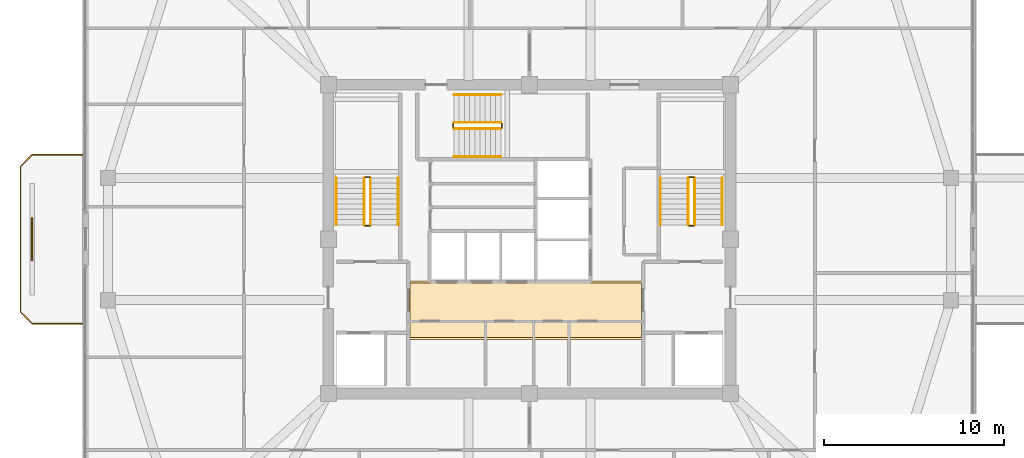
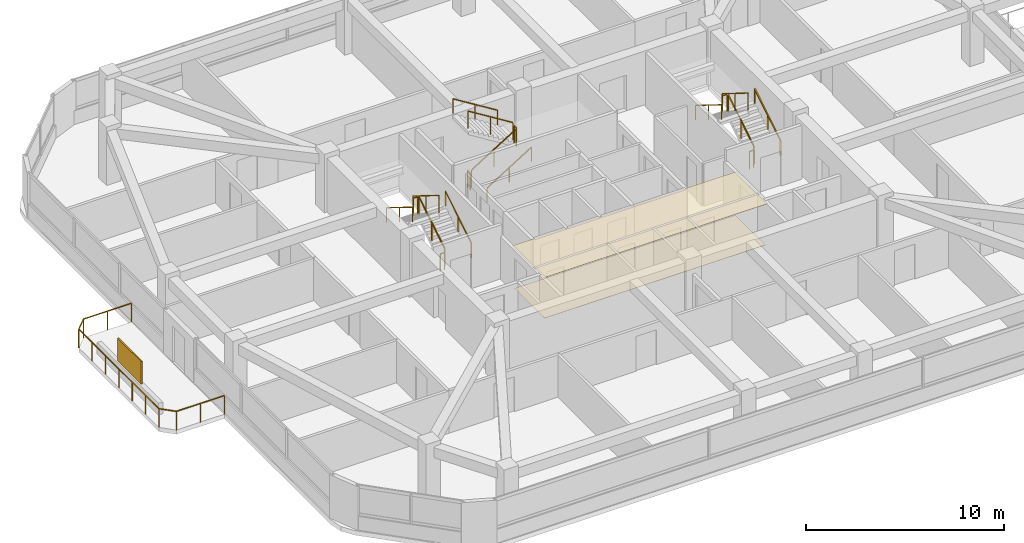
# One storey, part 13 of 14: 19 railings, 2 coverings, 1 shading device.
"""IFC4 building model written with IfcOpenShell, lengths in metres."""

from ifc_helpers import new_model, si_unit, derived_unit, direction, frame, origin, origin_2d, place, context, subcontext, project, spatial, polyline, rectangle, outline, extrude, material, layer, layer_set, type_object, element, save


model = new_model("IFC4")

# Units and contexts
model_context = context("Model", 3, precision=1e-05, world=origin(), true_north=direction((0.0, 1.0)))
body_context = subcontext(model_context, "Body", "Model", "MODEL_VIEW")
ifc_project = project(units=[si_unit("LENGTHUNIT", "METRE"), si_unit("AREAUNIT", "SQUARE_METRE"), si_unit("VOLUMEUNIT", "CUBIC_METRE"), si_unit("PLANEANGLEUNIT", "RADIAN"), si_unit("MASSUNIT", "GRAM", prefix="KILO"), derived_unit("THERMALTRANSMITTANCEUNIT", [(si_unit("POWERUNIT", "WATT"), 1), (si_unit("LENGTHUNIT", "METRE"), -2), (si_unit("THERMODYNAMICTEMPERATUREUNIT", "KELVIN"), -1)])], contexts=[model_context])

# Site, building, storey
site_placement = place(None, origin())
site = spatial("IfcSite", under=ifc_project, at=site_placement, CompositionType="ELEMENT")
building_placement = place(site_placement, origin())
building = spatial("IfcBuilding", under=site, at=building_placement, Name="Koralith Skygarden Medical Center", CompositionType="ELEMENT")
storey_placement = place(building_placement, frame((0.0, 0.0, 242.820068359375)))
storey = spatial("IfcBuildingStorey", under=building, at=storey_placement, Name="L62", CompositionType="ELEMENT", Elevation=242.820068359375)

# Covering
ifc_material_1 = material(Name="Acoustic Mineral Tile")
ifc_layer_1 = layer(ifc_material_1, 0.02001953125)
ifc_layer_set_1 = layer_set([ifc_layer_1], Name="Acoustic Mineral Tile")
covering_type_1 = type_object("IfcCoveringType", Name="Acoustic Hygienic Mineral Ceiling 20", PredefinedType="CEILING", material=ifc_layer_set_1)
covering_1_placement = place(storey_placement, frame((0.0, 0.0, 2.5849609375)))
element("IfcCovering", 1, at=covering_1_placement, inside=storey, type_object=covering_type_1, Name="L62 Core Lobby Acoustic Ceiling", PredefinedType="CEILING", context=body_context, shape_type="SweptSolid", body=[
    extrude(outline(polyline([(30.25, 20.320068359375), (43.35009765625, 20.320068359375), (43.35009765625, 23.56005859375), (30.25, 23.56005859375), (30.25, 20.320068359375)])), origin(), (0.0, 0.0, 1.0), 0.02001953125),
])

# Railing
ifc_material_2 = material(Name="Steel ASTM A500 Grade C", Category="steel")
railing_type_1 = type_object("IfcRailingType", Name="Outdoor Terrace & Balcony Safety Guardrail 1180", PredefinedType="GUARDRAIL", material=ifc_material_2)
railing_1_placement = place(storey_placement, frame((12.10009765625, 21.199951171875, 0.0)))
element("IfcRailing", 2, at=railing_1_placement, inside=storey, type_object=railing_type_1, Name="L62 W Balcony Perimeter Guardrail", PredefinedType="GUARDRAIL", context=body_context, shape_type="SweptSolid", body=[
    extrude(rectangle(XDim=0.050048828125, YDim=0.050048828125, at=origin_2d()), frame((-0.001953125, 0.0, 1.15478515625), z_axis=(-1.0, 0.0, 0.0), x_axis=(0.0, -1.0, 0.0)), (0.0, 0.0, 1.0), 2.796142578125),
    extrude(rectangle(XDim=0.050048828125, YDim=0.050048828125, at=origin_2d()), frame((-2.801513671875, 0.00146484375, 1.15478515625), z_axis=(-0.707106781187, 0.707106781187, 0.0), x_axis=(-0.707106781187, -0.707106781187, 0.0)), (0.0, 0.0, 1.0), 0.91552734375),
    extrude(rectangle(XDim=0.050048828125, YDim=0.050048828125, at=origin_2d()), frame((-3.4501953125, 0.652099609375, 1.15478515625), z_axis=(0.0, 1.0, 0.0), x_axis=(-1.0, 0.0, 0.0)), (0.0, 0.0, 1.0), 8.095947265625),
    extrude(rectangle(XDim=0.050048828125, YDim=0.050048828125, at=origin_2d()), frame((-3.44873046875, 8.75146484375, 1.15478515625), z_axis=(0.707106781187, 0.707106781187, 0.0), x_axis=(-0.707106781187, 0.707106781187, 0.0)), (0.0, 0.0, 1.0), 0.91552734375),
    extrude(rectangle(XDim=0.050048828125, YDim=0.050048828125, at=origin_2d()), frame((-2.798095703125, 9.400146484375, 1.15478515625), z_axis=(1.0, 0.0, 0.0), x_axis=(0.0, 1.0, 0.0)), (0.0, 0.0, 1.0), 2.796142578125),
    extrude(rectangle(XDim=0.0419921875, YDim=0.0419921875, at=origin_2d()), origin(), (0.0, 0.0, 1.0), 1.1279296875),
    extrude(rectangle(XDim=0.0419921875, YDim=0.0419921875, at=origin_2d()), frame((-1.39990234375, 0.0, 0.0)), (0.0, 0.0, 1.0), 1.1279296875),
    extrude(rectangle(XDim=0.0419921875, YDim=0.0419921875, at=origin_2d()), frame((-2.800048828125, 0.0, 0.0)), (0.0, 0.0, 1.0), 1.1279296875),
    extrude(rectangle(XDim=0.0419921875, YDim=0.0419921875, at=origin_2d()), frame((-3.4501953125, 0.650146484375, 0.0)), (0.0, 0.0, 1.0), 1.1279296875),
    extrude(rectangle(XDim=0.0419921875, YDim=0.0419921875, at=origin_2d()), frame((-3.4501953125, 2.0, 0.0)), (0.0, 0.0, 1.0), 1.1279296875),
    extrude(rectangle(XDim=0.0419921875, YDim=0.0419921875, at=origin_2d()), frame((-3.4501953125, 3.35009765625, 0.0)), (0.0, 0.0, 1.0), 1.1279296875),
    extrude(rectangle(XDim=0.0419921875, YDim=0.0419921875, at=origin_2d()), frame((-3.4501953125, 4.7001953125, 0.0)), (0.0, 0.0, 1.0), 1.1279296875),
    extrude(rectangle(XDim=0.0419921875, YDim=0.0419921875, at=origin_2d()), frame((-3.4501953125, 6.050048828125, 0.0)), (0.0, 0.0, 1.0), 1.1279296875),
    extrude(rectangle(XDim=0.0419921875, YDim=0.0419921875, at=origin_2d()), frame((-3.4501953125, 7.39990234375, 0.0)), (0.0, 0.0, 1.0), 1.1279296875),
    extrude(rectangle(XDim=0.0419921875, YDim=0.0419921875, at=origin_2d()), frame((-3.4501953125, 8.75, 0.0)), (0.0, 0.0, 1.0), 1.1279296875),
    extrude(rectangle(XDim=0.0419921875, YDim=0.0419921875, at=origin_2d()), frame((-2.800048828125, 9.400146484375, 0.0)), (0.0, 0.0, 1.0), 1.1279296875),
    extrude(rectangle(XDim=0.0419921875, YDim=0.0419921875, at=origin_2d()), frame((-1.39990234375, 9.400146484375, 0.0)), (0.0, 0.0, 1.0), 1.1279296875),
    extrude(rectangle(XDim=0.0419921875, YDim=0.0419921875, at=origin_2d()), frame((0.0, 9.400146484375, 0.0)), (0.0, 0.0, 1.0), 1.1279296875),
])

# Shading device
ifc_material_3 = material(Name="Aluminium 6063-T6", Category="aluminium")
ifc_layer_2 = layer(ifc_material_3, 0.080078125)
ifc_layer_set_2 = layer_set([ifc_layer_2], Name="Aluminium 6063-T6")
shading_device_type = type_object("IfcShadingDeviceType", Name="Perforated Biophilic Balcony Trellis Screen", PredefinedType="USERDEFINED", material=ifc_layer_set_2)
shading_device_placement = place(storey_placement, frame((9.300048828125, 25.89990234375, 0.719970703125), z_axis=(0.0, 0.0, 1.0), x_axis=(0.0, 1.0, 0.0)))
element("IfcShadingDevice", 3, at=shading_device_placement, inside=storey, type_object=shading_device_type, Name="L62 W Biophilic Balcony Trellis Screen", ObjectType="HURRICANE SCREEN", PredefinedType="USERDEFINED", context=body_context, shape_type="SweptSolid", body=[
    extrude(rectangle(XDim=2.39990234375, YDim=0.080078125, at=origin_2d()), origin(), (0.0, 0.0, 1.0), 1.39990234375),
])

# Covering
ifc_material_4 = material(Name="Medical Terrazzo Flooring")
ifc_layer_3 = layer(ifc_material_4, 0.014892578125)
ifc_layer_set_3 = layer_set([ifc_layer_3], Name="Medical Terrazzo Flooring")
covering_type_2 = type_object("IfcCoveringType", Name="Seamless Antimicrobial Terrazzo Flooring 15", PredefinedType="FLOORING", material=ifc_layer_set_3)
covering_2_placement = place(storey_placement, origin())
element("IfcCovering", 4, at=covering_2_placement, inside=storey, type_object=covering_type_2, Name="L62 Core Lobby Terrazzo Flooring", PredefinedType="FLOORING", context=body_context, shape_type="SweptSolid", body=[
    extrude(outline(polyline([(30.35009765625, 20.419921875), (43.25, 20.419921875), (43.25, 23.4599609375), (30.35009765625, 23.4599609375), (30.35009765625, 20.419921875)])), origin(), (0.0, 0.0, 1.0), 0.014892578125),
])

# Railings
railing_type_2 = type_object("IfcRailingType", Name="Stair Flight Tubular Handrail 920", PredefinedType="HANDRAIL", material=ifc_material_2)
railing_2_placement = place(storey_placement, frame((29.699951171875, 26.699951171875, 0.179931640625)))
element("IfcRailing", 5, at=railing_2_placement, inside=storey, type_object=railing_type_2, Name="L62 ST1 stair handrail 1", PredefinedType="HANDRAIL", context=body_context, shape_type="SweptSolid", body=[
    extrude(rectangle(XDim=0.050048828125, YDim=0.050048828125, at=origin_2d()), frame((0.0, 0.001708984375, 0.89599609375), z_axis=(0.0, 0.849632798774, 0.527374731332), x_axis=(-1.0, 0.0, 0.0)), (0.0, 0.0, 1.0), 3.068115234375),
    extrude(rectangle(XDim=0.0419921875, YDim=0.0419921875, at=origin_2d()), origin(), (0.0, 0.0, 1.0), 0.867919921875),
    extrude(rectangle(XDim=0.0419921875, YDim=0.0419921875, at=origin_2d()), frame((0.0, 1.30517578125, 0.81005859375)), (0.0, 0.0, 1.0), 0.867919921875),
    extrude(rectangle(XDim=0.0419921875, YDim=0.0419921875, at=origin_2d()), frame((0.0, 2.610107421875, 1.6201171875)), (0.0, 0.0, 1.0), 0.867919921875),
])
railing_3_placement = place(storey_placement, frame((26.25, 29.31005859375, 1.97998046875)))
element("IfcRailing", 6, at=railing_3_placement, inside=storey, type_object=railing_type_2, Name="L62 ST1 stair handrail 2", PredefinedType="HANDRAIL", context=body_context, shape_type="SweptSolid", body=[
    extrude(rectangle(XDim=0.050048828125, YDim=0.050048828125, at=origin_2d()), frame((0.0, -0.001708984375, 0.89599609375), z_axis=(0.0, -0.849668407637, 0.527317358963), x_axis=(1.0, 0.0, 0.0)), (0.0, 0.0, 1.0), 3.06787109375),
    extrude(rectangle(XDim=0.0419921875, YDim=0.0419921875, at=origin_2d()), origin(), (0.0, 0.0, 1.0), 0.867919921875),
    extrude(rectangle(XDim=0.0419921875, YDim=0.0419921875, at=origin_2d()), frame((0.0, -1.30517578125, 0.81005859375)), (0.0, 0.0, 1.0), 0.867919921875),
    extrude(rectangle(XDim=0.0419921875, YDim=0.0419921875, at=origin_2d()), frame((0.0, -2.610107421875, 1.619873046875)), (0.0, 0.0, 1.0), 0.867919921875),
])
railing_4_placement = place(storey_placement, frame((47.75, 26.699951171875, 0.179931640625)))
element("IfcRailing", 7, at=railing_4_placement, inside=storey, type_object=railing_type_2, Name="L62 ST2 stair handrail 1", PredefinedType="HANDRAIL", context=body_context, shape_type="SweptSolid", body=[
    extrude(rectangle(XDim=0.050048828125, YDim=0.050048828125, at=origin_2d()), frame((0.0, 0.001708984375, 0.89599609375), z_axis=(0.0, 0.849632798774, 0.527374731332), x_axis=(-1.0, 0.0, 0.0)), (0.0, 0.0, 1.0), 3.068115234375),
    extrude(rectangle(XDim=0.0419921875, YDim=0.0419921875, at=origin_2d()), origin(), (0.0, 0.0, 1.0), 0.867919921875),
    extrude(rectangle(XDim=0.0419921875, YDim=0.0419921875, at=origin_2d()), frame((0.0, 1.30517578125, 0.81005859375)), (0.0, 0.0, 1.0), 0.867919921875),
    extrude(rectangle(XDim=0.0419921875, YDim=0.0419921875, at=origin_2d()), frame((0.0, 2.610107421875, 1.6201171875)), (0.0, 0.0, 1.0), 0.867919921875),
])
railing_5_placement = place(storey_placement, frame((44.300048828125, 29.31005859375, 1.97998046875)))
element("IfcRailing", 8, at=railing_5_placement, inside=storey, type_object=railing_type_2, Name="L62 ST2 stair handrail 2", PredefinedType="HANDRAIL", context=body_context, shape_type="SweptSolid", body=[
    extrude(rectangle(XDim=0.050048828125, YDim=0.050048828125, at=origin_2d()), frame((0.0, -0.001708984375, 0.89599609375), z_axis=(0.0, -0.849668407637, 0.527317358963), x_axis=(1.0, 0.0, 0.0)), (0.0, 0.0, 1.0), 3.06787109375),
    extrude(rectangle(XDim=0.0419921875, YDim=0.0419921875, at=origin_2d()), origin(), (0.0, 0.0, 1.0), 0.867919921875),
    extrude(rectangle(XDim=0.0419921875, YDim=0.0419921875, at=origin_2d()), frame((0.0, -1.30517578125, 0.81005859375)), (0.0, 0.0, 1.0), 0.867919921875),
    extrude(rectangle(XDim=0.0419921875, YDim=0.0419921875, at=origin_2d()), frame((0.0, -2.610107421875, 1.619873046875)), (0.0, 0.0, 1.0), 0.867919921875),
])
railing_6_placement = place(storey_placement, frame((32.800048828125, 30.5, 0.179931640625)))
element("IfcRailing", 9, at=railing_6_placement, inside=storey, type_object=railing_type_2, Name="L62 ST3 stair handrail 1", PredefinedType="HANDRAIL", context=body_context, shape_type="SweptSolid", body=[
    extrude(rectangle(XDim=0.050048828125, YDim=0.050048828125, at=origin_2d()), frame((0.001708984375, 0.0, 0.89599609375), z_axis=(0.849610693518, 0.0, 0.52741034258), x_axis=(0.0, 1.0, 0.0)), (0.0, 0.0, 1.0), 3.06787109375),
    extrude(rectangle(XDim=0.0419921875, YDim=0.0419921875, at=origin_2d()), origin(), (0.0, 0.0, 1.0), 0.867919921875),
    extrude(rectangle(XDim=0.0419921875, YDim=0.0419921875, at=origin_2d()), frame((1.304931640625, 0.0, 0.81005859375)), (0.0, 0.0, 1.0), 0.867919921875),
    extrude(rectangle(XDim=0.0419921875, YDim=0.0419921875, at=origin_2d()), frame((2.60986328125, 0.0, 1.6201171875)), (0.0, 0.0, 1.0), 0.867919921875),
])
railing_7_placement = place(storey_placement, frame((35.409912109375, 33.949951171875, 1.97998046875)))
element("IfcRailing", 10, at=railing_7_placement, inside=storey, type_object=railing_type_2, Name="L62 ST3 stair handrail 2", PredefinedType="HANDRAIL", context=body_context, shape_type="SweptSolid", body=[
    extrude(rectangle(XDim=0.050048828125, YDim=0.050048828125, at=origin_2d()), frame((-0.001708984375, 0.0, 0.89599609375), z_axis=(-0.849646306263, 0.0, 0.527352969322), x_axis=(0.0, -1.0, 0.0)), (0.0, 0.0, 1.0), 3.067626953125),
    extrude(rectangle(XDim=0.0419921875, YDim=0.0419921875, at=origin_2d()), origin(), (0.0, 0.0, 1.0), 0.867919921875),
    extrude(rectangle(XDim=0.0419921875, YDim=0.0419921875, at=origin_2d()), frame((-1.304931640625, 0.0, 0.81005859375)), (0.0, 0.0, 1.0), 0.867919921875),
    extrude(rectangle(XDim=0.0419921875, YDim=0.0419921875, at=origin_2d()), frame((-2.60986328125, 0.0, 1.619873046875)), (0.0, 0.0, 1.0), 0.867919921875),
])
railing_type_3 = type_object("IfcRailingType", Name="Stair Well Safety Guardrail 1100", PredefinedType="GUARDRAIL", material=ifc_material_2)
railing_8_placement = place(storey_placement, frame((28.14990234375, 26.699951171875, 0.179931640625)))
element("IfcRailing", 11, at=railing_8_placement, inside=storey, type_object=railing_type_3, Name="L62 ST1 stair guard 1", PredefinedType="GUARDRAIL", context=body_context, shape_type="SweptSolid", body=[
    extrude(rectangle(XDim=0.050048828125, YDim=0.050048828125, at=origin_2d()), frame((0.0, 0.001708984375, 1.076171875), z_axis=(0.0, 0.849632798774, 0.527374731332), x_axis=(-1.0, 0.0, 0.0)), (0.0, 0.0, 1.0), 3.068115234375),
    extrude(rectangle(XDim=0.0419921875, YDim=0.0419921875, at=origin_2d()), origin(), (0.0, 0.0, 1.0), 1.048095703125),
    extrude(rectangle(XDim=0.0419921875, YDim=0.0419921875, at=origin_2d()), frame((0.0, 1.30517578125, 0.81005859375)), (0.0, 0.0, 1.0), 1.048095703125),
    extrude(rectangle(XDim=0.0419921875, YDim=0.0419921875, at=origin_2d()), frame((0.0, 2.610107421875, 1.6201171875)), (0.0, 0.0, 1.0), 1.048095703125),
])
railing_9_placement = place(storey_placement, frame((28.10009765625, 29.360107421875, 1.800048828125)))
element("IfcRailing", 12, at=railing_9_placement, inside=storey, type_object=railing_type_3, Name="L62 ST1 stair guard 2", PredefinedType="GUARDRAIL", context=body_context, shape_type="SweptSolid", body=[
    extrude(rectangle(XDim=0.050048828125, YDim=0.050048828125, at=origin_2d()), frame((-0.001953125, 0.0, 1.0751953125), z_axis=(-1.0, 0.0, 0.0), x_axis=(0.0, -1.0, 0.0)), (0.0, 0.0, 1.0), 0.24609375),
    extrude(rectangle(XDim=0.0419921875, YDim=0.0419921875, at=origin_2d()), origin(), (0.0, 0.0, 1.0), 1.048095703125),
    extrude(rectangle(XDim=0.0419921875, YDim=0.0419921875, at=origin_2d()), frame((-0.25, 0.0, 0.0)), (0.0, 0.0, 1.0), 1.048095703125),
])
railing_10_placement = place(storey_placement, frame((27.800048828125, 29.31005859375, 1.97998046875)))
element("IfcRailing", 13, at=railing_10_placement, inside=storey, type_object=railing_type_3, Name="L62 ST1 stair guard 3", PredefinedType="GUARDRAIL", context=body_context, shape_type="SweptSolid", body=[
    extrude(rectangle(XDim=0.050048828125, YDim=0.050048828125, at=origin_2d()), frame((0.0, -0.001708984375, 1.076171875), z_axis=(0.0, -0.849668407637, 0.527317358963), x_axis=(1.0, 0.0, 0.0)), (0.0, 0.0, 1.0), 3.06787109375),
    extrude(rectangle(XDim=0.0419921875, YDim=0.0419921875, at=origin_2d()), origin(), (0.0, 0.0, 1.0), 1.048095703125),
    extrude(rectangle(XDim=0.0419921875, YDim=0.0419921875, at=origin_2d()), frame((0.0, -1.30517578125, 0.81005859375)), (0.0, 0.0, 1.0), 1.048095703125),
    extrude(rectangle(XDim=0.0419921875, YDim=0.0419921875, at=origin_2d()), frame((0.0, -2.610107421875, 1.619873046875)), (0.0, 0.0, 1.0), 1.048095703125),
])
railing_11_placement = place(storey_placement, frame((28.10009765625, 26.64990234375, 0.0)))
element("IfcRailing", 14, at=railing_11_placement, inside=storey, type_object=railing_type_3, Name="L62 ST1 stair guard 4", PredefinedType="GUARDRAIL", context=body_context, shape_type="SweptSolid", body=[
    extrude(rectangle(XDim=0.050048828125, YDim=0.050048828125, at=origin_2d()), frame((-0.001953125, 0.0, 1.0751953125), z_axis=(-1.0, 0.0, 0.0), x_axis=(0.0, -1.0, 0.0)), (0.0, 0.0, 1.0), 0.24609375),
    extrude(rectangle(XDim=0.0419921875, YDim=0.0419921875, at=origin_2d()), origin(), (0.0, 0.0, 1.0), 1.048095703125),
    extrude(rectangle(XDim=0.0419921875, YDim=0.0419921875, at=origin_2d()), frame((-0.25, 0.0, 0.0)), (0.0, 0.0, 1.0), 1.048095703125),
])
railing_12_placement = place(storey_placement, frame((46.199951171875, 26.699951171875, 0.179931640625)))
element("IfcRailing", 15, at=railing_12_placement, inside=storey, type_object=railing_type_3, Name="L62 ST2 stair guard 1", PredefinedType="GUARDRAIL", context=body_context, shape_type="SweptSolid", body=[
    extrude(rectangle(XDim=0.050048828125, YDim=0.050048828125, at=origin_2d()), frame((0.0, 0.001708984375, 1.076171875), z_axis=(0.0, 0.849632798774, 0.527374731332), x_axis=(-1.0, 0.0, 0.0)), (0.0, 0.0, 1.0), 3.068115234375),
    extrude(rectangle(XDim=0.0419921875, YDim=0.0419921875, at=origin_2d()), origin(), (0.0, 0.0, 1.0), 1.048095703125),
    extrude(rectangle(XDim=0.0419921875, YDim=0.0419921875, at=origin_2d()), frame((0.0, 1.30517578125, 0.81005859375)), (0.0, 0.0, 1.0), 1.048095703125),
    extrude(rectangle(XDim=0.0419921875, YDim=0.0419921875, at=origin_2d()), frame((0.0, 2.610107421875, 1.6201171875)), (0.0, 0.0, 1.0), 1.048095703125),
])
railing_13_placement = place(storey_placement, frame((46.14990234375, 29.360107421875, 1.800048828125)))
element("IfcRailing", 16, at=railing_13_placement, inside=storey, type_object=railing_type_3, Name="L62 ST2 stair guard 2", PredefinedType="GUARDRAIL", context=body_context, shape_type="SweptSolid", body=[
    extrude(rectangle(XDim=0.050048828125, YDim=0.050048828125, at=origin_2d()), frame((-0.001953125, 0.0, 1.0751953125), z_axis=(-1.0, 0.0, 0.0), x_axis=(0.0, -1.0, 0.0)), (0.0, 0.0, 1.0), 0.24609375),
    extrude(rectangle(XDim=0.0419921875, YDim=0.0419921875, at=origin_2d()), origin(), (0.0, 0.0, 1.0), 1.048095703125),
    extrude(rectangle(XDim=0.0419921875, YDim=0.0419921875, at=origin_2d()), frame((-0.25, 0.0, 0.0)), (0.0, 0.0, 1.0), 1.048095703125),
])
railing_14_placement = place(storey_placement, frame((45.85009765625, 29.31005859375, 1.97998046875)))
element("IfcRailing", 17, at=railing_14_placement, inside=storey, type_object=railing_type_3, Name="L62 ST2 stair guard 3", PredefinedType="GUARDRAIL", context=body_context, shape_type="SweptSolid", body=[
    extrude(rectangle(XDim=0.050048828125, YDim=0.050048828125, at=origin_2d()), frame((0.0, -0.001708984375, 1.076171875), z_axis=(0.0, -0.849668407637, 0.527317358963), x_axis=(1.0, 0.0, 0.0)), (0.0, 0.0, 1.0), 3.06787109375),
    extrude(rectangle(XDim=0.0419921875, YDim=0.0419921875, at=origin_2d()), origin(), (0.0, 0.0, 1.0), 1.048095703125),
    extrude(rectangle(XDim=0.0419921875, YDim=0.0419921875, at=origin_2d()), frame((0.0, -1.30517578125, 0.81005859375)), (0.0, 0.0, 1.0), 1.048095703125),
    extrude(rectangle(XDim=0.0419921875, YDim=0.0419921875, at=origin_2d()), frame((0.0, -2.610107421875, 1.619873046875)), (0.0, 0.0, 1.0), 1.048095703125),
])
railing_15_placement = place(storey_placement, frame((46.14990234375, 26.64990234375, 0.0)))
element("IfcRailing", 18, at=railing_15_placement, inside=storey, type_object=railing_type_3, Name="L62 ST2 stair guard 4", PredefinedType="GUARDRAIL", context=body_context, shape_type="SweptSolid", body=[
    extrude(rectangle(XDim=0.050048828125, YDim=0.050048828125, at=origin_2d()), frame((-0.001953125, 0.0, 1.0751953125), z_axis=(-1.0, 0.0, 0.0), x_axis=(0.0, -1.0, 0.0)), (0.0, 0.0, 1.0), 0.24609375),
    extrude(rectangle(XDim=0.0419921875, YDim=0.0419921875, at=origin_2d()), origin(), (0.0, 0.0, 1.0), 1.048095703125),
    extrude(rectangle(XDim=0.0419921875, YDim=0.0419921875, at=origin_2d()), frame((-0.25, 0.0, 0.0)), (0.0, 0.0, 1.0), 1.048095703125),
])
railing_16_placement = place(storey_placement, frame((32.800048828125, 32.050048828125, 0.179931640625)))
element("IfcRailing", 19, at=railing_16_placement, inside=storey, type_object=railing_type_3, Name="L62 ST3 stair guard 1", PredefinedType="GUARDRAIL", context=body_context, shape_type="SweptSolid", body=[
    extrude(rectangle(XDim=0.050048828125, YDim=0.050048828125, at=origin_2d()), frame((0.001708984375, 0.0, 1.076171875), z_axis=(0.849610693518, 0.0, 0.52741034258), x_axis=(0.0, 1.0, 0.0)), (0.0, 0.0, 1.0), 3.06787109375),
    extrude(rectangle(XDim=0.0419921875, YDim=0.0419921875, at=origin_2d()), origin(), (0.0, 0.0, 1.0), 1.048095703125),
    extrude(rectangle(XDim=0.0419921875, YDim=0.0419921875, at=origin_2d()), frame((1.304931640625, 0.0, 0.81005859375)), (0.0, 0.0, 1.0), 1.048095703125),
    extrude(rectangle(XDim=0.0419921875, YDim=0.0419921875, at=origin_2d()), frame((2.60986328125, 0.0, 1.6201171875)), (0.0, 0.0, 1.0), 1.048095703125),
])
railing_17_placement = place(storey_placement, frame((35.4599609375, 32.10009765625, 1.800048828125)))
element("IfcRailing", 20, at=railing_17_placement, inside=storey, type_object=railing_type_3, Name="L62 ST3 stair guard 2", PredefinedType="GUARDRAIL", context=body_context, shape_type="SweptSolid", body=[
    extrude(rectangle(XDim=0.050048828125, YDim=0.050048828125, at=origin_2d()), frame((0.0, 0.001953125, 1.0751953125), z_axis=(0.0, 1.0, 0.0), x_axis=(-1.0, 0.0, 0.0)), (0.0, 0.0, 1.0), 0.24609375),
    extrude(rectangle(XDim=0.0419921875, YDim=0.0419921875, at=origin_2d()), origin(), (0.0, 0.0, 1.0), 1.048095703125),
    extrude(rectangle(XDim=0.0419921875, YDim=0.0419921875, at=origin_2d()), frame((0.0, 0.25, 0.0)), (0.0, 0.0, 1.0), 1.048095703125),
])
railing_18_placement = place(storey_placement, frame((35.409912109375, 32.39990234375, 1.97998046875)))
element("IfcRailing", 21, at=railing_18_placement, inside=storey, type_object=railing_type_3, Name="L62 ST3 stair guard 3", PredefinedType="GUARDRAIL", context=body_context, shape_type="SweptSolid", body=[
    extrude(rectangle(XDim=0.050048828125, YDim=0.050048828125, at=origin_2d()), frame((-0.001708984375, 0.0, 1.076171875), z_axis=(-0.849646306263, 0.0, 0.527352969322), x_axis=(0.0, -1.0, 0.0)), (0.0, 0.0, 1.0), 3.067626953125),
    extrude(rectangle(XDim=0.0419921875, YDim=0.0419921875, at=origin_2d()), origin(), (0.0, 0.0, 1.0), 1.048095703125),
    extrude(rectangle(XDim=0.0419921875, YDim=0.0419921875, at=origin_2d()), frame((-1.304931640625, 0.0, 0.81005859375)), (0.0, 0.0, 1.0), 1.048095703125),
    extrude(rectangle(XDim=0.0419921875, YDim=0.0419921875, at=origin_2d()), frame((-2.60986328125, 0.0, 1.619873046875)), (0.0, 0.0, 1.0), 1.048095703125),
])
railing_19_placement = place(storey_placement, frame((32.75, 32.10009765625, 0.0)))
element("IfcRailing", 22, at=railing_19_placement, inside=storey, type_object=railing_type_3, Name="L62 ST3 stair guard 4", PredefinedType="GUARDRAIL", context=body_context, shape_type="SweptSolid", body=[
    extrude(rectangle(XDim=0.050048828125, YDim=0.050048828125, at=origin_2d()), frame((0.0, 0.001953125, 1.0751953125), z_axis=(0.0, 1.0, 0.0), x_axis=(-1.0, 0.0, 0.0)), (0.0, 0.0, 1.0), 0.24609375),
    extrude(rectangle(XDim=0.0419921875, YDim=0.0419921875, at=origin_2d()), origin(), (0.0, 0.0, 1.0), 1.048095703125),
    extrude(rectangle(XDim=0.0419921875, YDim=0.0419921875, at=origin_2d()), frame((0.0, 0.25, 0.0)), (0.0, 0.0, 1.0), 1.048095703125),
])

save(model, "model.ifc")
